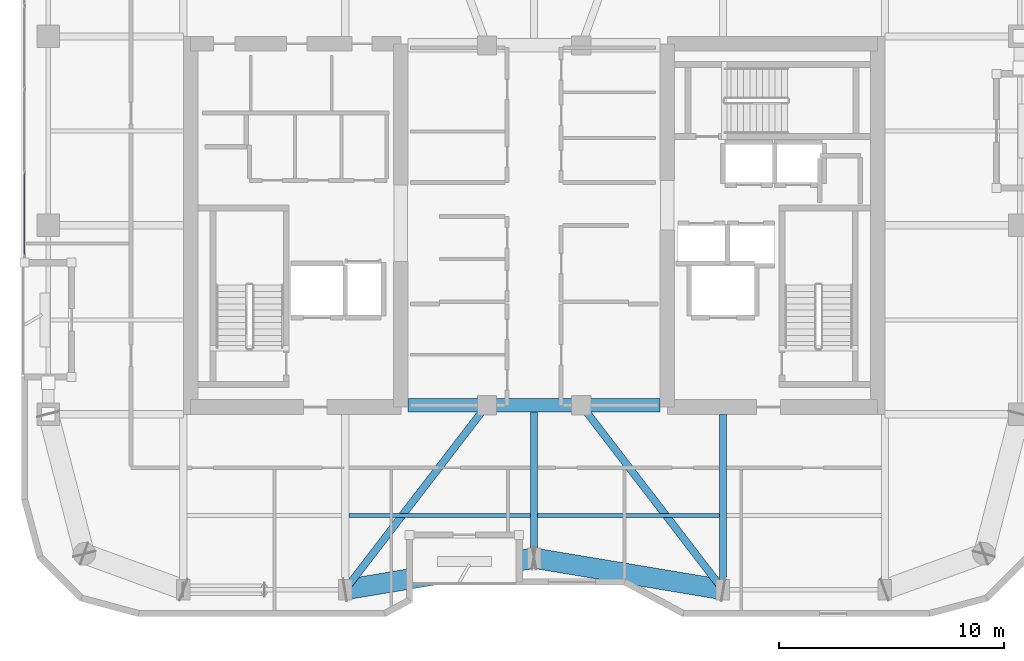
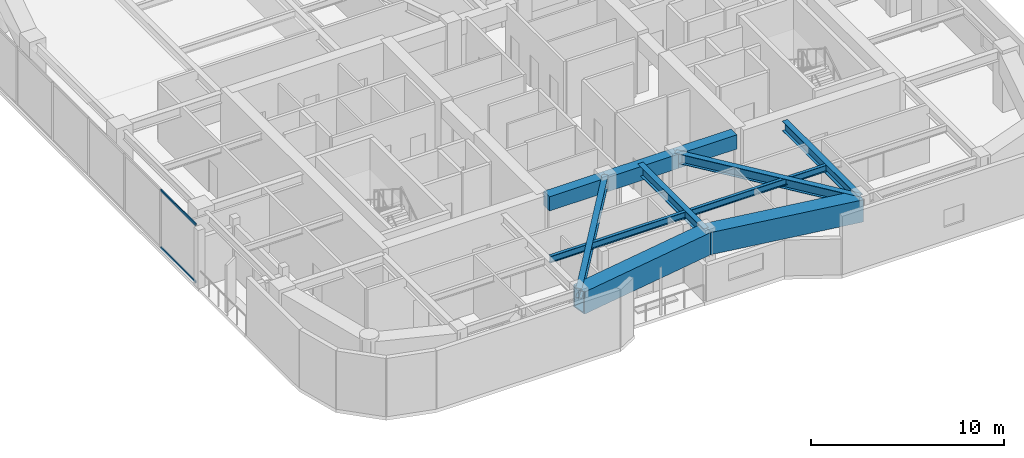
# One storey, part 3 of 21: 11 beams, 2 members, 1 element without a shape of its own.
"""IFC4 building model written with IfcOpenShell, lengths in metres."""

from ifc_helpers import new_model, si_unit, direction, frame, origin, origin_2d, place, context, subcontext, project, spatial, rectangle, hollow_rectangle, i_section, extrude, material, layer, layer_set, material_profile, profile_set, type_object, element, aggregate, save


model = new_model("IFC4")

# Units and contexts
model_context = context("Model", 3, precision=1e-05, world=origin(), true_north=direction((0.0, 1.0)))
body_context = subcontext(model_context, "Body", "Model", "MODEL_VIEW")
ifc_project = project(units=[si_unit("LENGTHUNIT", "METRE"), si_unit("AREAUNIT", "SQUARE_METRE"), si_unit("VOLUMEUNIT", "CUBIC_METRE"), si_unit("PLANEANGLEUNIT", "RADIAN"), si_unit("MASSUNIT", "GRAM", prefix="KILO")], contexts=[model_context])

# Site, building, storey
site_placement = place(None, origin())
site = spatial("IfcSite", under=ifc_project, at=site_placement, CompositionType="ELEMENT")
building_placement = place(site_placement, origin())
building = spatial("IfcBuilding", under=site, at=building_placement, Name="Kiyonajd Concourse Tower", CompositionType="ELEMENT")
storey_placement = place(building_placement, frame((0.0, 0.0, 247.199951171875)))
storey = spatial("IfcBuildingStorey", under=building, at=storey_placement, Name="L62", CompositionType="ELEMENT", Elevation=247.199951171875)

# Beams
ifc_material_1 = material(Name="Concrete C60/75", Category="concrete")
ifc_material_profile_1 = material_profile(ifc_material_1, rectangle(XDim=0.60009765625, YDim=0.89990234375, at=origin_2d()), Name="RCBM-600x900")
ifc_profile_set_1 = profile_set([ifc_material_profile_1], Name="Concrete C60/75")
beam_type_1 = type_object("IfcBeamType", Name="BM-COUP-900", PredefinedType="LINTEL", material=ifc_profile_set_1)
beam_1_placement = place(storey_placement, frame((42.39990234375, 28.0, 3.22998046875), z_axis=(1.0, 0.0, 0.0), x_axis=(0.0, 1.0, 0.0)))
element("IfcBeam", 1, at=beam_1_placement, inside=storey, type_object=beam_type_1, Name="L62 Core Coupling Beam S1", PredefinedType="LINTEL", context=body_context, shape_type="SweptSolid", body=[
    extrude(rectangle(XDim=0.60009765625, YDim=0.89990234375, at=origin_2d()), origin(), (0.0, 0.0, 1.0), 3.5),
])
beam_2_placement = place(storey_placement, frame((45.89990234375, 28.0, 3.22998046875), z_axis=(1.0, 0.0, 0.0), x_axis=(0.0, 1.0, 0.0)))
element("IfcBeam", 2, at=beam_2_placement, inside=storey, type_object=beam_type_1, Name="L62 Core Coupling Beam S2", PredefinedType="LINTEL", context=body_context, shape_type="SweptSolid", body=[
    extrude(rectangle(XDim=0.60009765625, YDim=0.89990234375, at=origin_2d()), origin(), (0.0, 0.0, 1.0), 4.2001953125),
])
beam_3_placement = place(storey_placement, frame((50.10009765625, 28.0, 3.22998046875), z_axis=(1.0, 0.0, 0.0), x_axis=(0.0, 1.0, 0.0)))
element("IfcBeam", 3, at=beam_3_placement, inside=storey, type_object=beam_type_1, Name="L62 Core Coupling Beam S3", PredefinedType="LINTEL", context=body_context, shape_type="SweptSolid", body=[
    extrude(rectangle(XDim=0.60009765625, YDim=0.89990234375, at=origin_2d()), origin(), (0.0, 0.0, 1.0), 3.5),
])
ifc_material_2 = material(Name="Steel ASTM A992 Grade 50", Category="steel")
ifc_material_profile_2 = material_profile(ifc_material_2, i_section(OverallWidth=0.180908203125, OverallDepth=0.4169921875, WebThickness=0.010986328125, FlangeThickness=0.018310546875, at=origin_2d()), Name="W410X85")
ifc_profile_set_2 = profile_set([ifc_material_profile_2], Name="Steel ASTM A992 Grade 50")
beam_type_2 = type_object("IfcBeamType", Name="BM-JST-410", PredefinedType="JOIST", material=ifc_profile_set_2)
for number, where, z_axis, x_axis, name in (
    (4, (39.761962890625, 23.10009765625, 3.471435546875), (1.0, 0.0, 0.0), (0.0, 1.0, 0.0), "L62 Secondary Floor Joist"),
    (5, (48.162109375, 23.10009765625, 3.471435546875), (1.0, 0.0, 0.0), (0.0, 1.0, 0.0), "L62 Secondary Floor Joist"),
):
    element("IfcBeam", number, at=place(storey_placement, frame(where, z_axis=z_axis, x_axis=x_axis)), inside=storey, type_object=beam_type_2, Name=name, PredefinedType="JOIST", context=body_context, shape_type="SweptSolid", body=[
        extrude(i_section(OverallWidth=0.180908203125, OverallDepth=0.4169921875, WebThickness=0.010986328125, FlangeThickness=0.018310546875, at=origin_2d()), origin(), (0.0, 0.0, 1.0), 8.075927734375),
    ])
ifc_material_profile_3 = material_profile(ifc_material_2, i_section(OverallWidth=0.326904296875, OverallDepth=0.6220703125, WebThickness=0.015380859375, FlangeThickness=0.0244140625, at=origin_2d()), Name="W610X195")
ifc_profile_set_3 = profile_set([ifc_material_profile_3], Name="Steel ASTM A992 Grade 50")
beam_type_3 = type_object("IfcBeamType", Name="BM-TWR-610A", PredefinedType="BEAM", material=ifc_profile_set_3)
for number, where, z_axis, x_axis, name in (
    (6, (39.60009765625, 19.800048828125, 3.369140625), (0.609233709922, 0.792990722956, 0.0), (-0.792990722956, 0.609233709922, 0.0), "L62 Core Tie Girder"),
    (7, (50.10009765625, 28.0, 3.369140625), (0.609233709922, -0.792990722956, 0.0), (0.792990722956, 0.609233709922, 0.0), "L62 Core Tie Girder"),
):
    element("IfcBeam", number, at=place(storey_placement, frame(where, z_axis=z_axis, x_axis=x_axis)), inside=storey, type_object=beam_type_3, Name=name, PredefinedType="BEAM", context=body_context, shape_type="SweptSolid", body=[
        extrude(i_section(OverallWidth=0.326904296875, OverallDepth=0.6220703125, WebThickness=0.015380859375, FlangeThickness=0.0244140625, at=origin_2d()), origin(), (0.0, 0.0, 1.0), 10.340576171875),
    ])
ifc_material_profile_4 = material_profile(ifc_material_2, i_section(OverallWidth=0.323974609375, OverallDepth=0.611083984375, WebThickness=0.0126953125, FlangeThickness=0.01904296875, at=origin_2d()), Name="W610X155")
ifc_profile_set_4 = profile_set([ifc_material_profile_4], Name="Steel ASTM A992 Grade 50")
beam_type_4 = type_object("IfcBeamType", Name="BM-TWR-610B", PredefinedType="BEAM", material=ifc_profile_set_4)
beam_4_placement = place(storey_placement, frame((56.39990234375, 19.800048828125, 3.37451171875), z_axis=(0.0, 1.0, 0.0), x_axis=(-1.0, 0.0, 0.0)))
element("IfcBeam", 8, at=beam_4_placement, inside=storey, type_object=beam_type_4, Name="L62 South Lease Girder", PredefinedType="BEAM", context=body_context, shape_type="SweptSolid", body=[
    extrude(i_section(OverallWidth=0.323974609375, OverallDepth=0.611083984375, WebThickness=0.0126953125, FlangeThickness=0.01904296875, at=origin_2d()), origin(), (0.0, 0.0, 1.0), 7.800048828125),
])
beam_5_placement = place(storey_placement, frame((48.0, 21.199951171875, 3.37451171875), z_axis=(0.0, 1.0, 0.0), x_axis=(-1.0, 0.0, 0.0)))
element("IfcBeam", 9, at=beam_5_placement, inside=storey, type_object=beam_type_4, Name="L62 South Ribbon Girder", PredefinedType="BEAM", context=body_context, shape_type="SweptSolid", body=[
    extrude(i_section(OverallWidth=0.323974609375, OverallDepth=0.611083984375, WebThickness=0.0126953125, FlangeThickness=0.01904296875, at=origin_2d()), origin(), (0.0, 0.0, 1.0), 6.800048828125),
])
ifc_material_3 = material(Name="Steel ASTM A572 Grade 50", Category="steel")
ifc_material_profile_5 = material_profile(ifc_material_3, hollow_rectangle(XDim=0.89990234375, YDim=1.39990234375, WallThickness=0.070068359375, at=origin_2d()), Name="BOX-1400x900x70")
ifc_profile_set_5 = profile_set([ifc_material_profile_5], Name="Steel ASTM A572 Grade 50")
beam_type_5 = type_object("IfcBeamType", Name="BM-XFER-1400", PredefinedType="BEAM", material=ifc_profile_set_5)
for number, where, z_axis, x_axis, name in (
    (10, (39.60009765625, 19.800048828125, 2.97998046875), (0.986395473479, 0.164389689151, 0.0), (-0.164389689151, 0.986395473479, 0.0), "L62 Perimeter Bundled Tube Spandrel"),
    (11, (48.0, 21.199951171875, 2.97998046875), (0.986395473479, -0.164389689151, 0.0), (0.164389689151, 0.986395473479, 0.0), "L62 Perimeter Bundled Tube Spandrel"),
):
    element("IfcBeam", number, at=place(storey_placement, frame(where, z_axis=z_axis, x_axis=x_axis)), inside=storey, type_object=beam_type_5, Name=name, PredefinedType="BEAM", context=body_context, shape_type="SweptSolid", body=[
        extrude(hollow_rectangle(XDim=0.89990234375, YDim=1.39990234375, WallThickness=0.070068359375, at=origin_2d()), origin(), (0.0, 0.0, 1.0), 8.515869140625),
    ])

# Curtain wall, members
ifc_material_4 = material(Name="Thermally Broken Anodised Aluminium", Category="aluminium")
ifc_layer = layer(ifc_material_4, 0.179931640625)
ifc_layer_set = layer_set([ifc_layer], Name="Thermally Broken Anodised Aluminium")
curtain_wall_type = type_object("IfcCurtainWallType", Name="CW-SYS-04", PredefinedType="NOTDEFINED", material=ifc_layer_set)
curtain_wall_placement = place(storey_placement, origin())
curtain_wall = element("IfcCurtainWall", 12, at=curtain_wall_placement, inside=storey, type_object=curtain_wall_type, Name="L62 Unitised Curtain Wall CW4", PredefinedType="NOTDEFINED")
ifc_material_profile_6 = material_profile(ifc_material_4, hollow_rectangle(XDim=0.06494140625, YDim=0.139892578125, WallThickness=0.00390625, at=origin_2d()), Name="TRAN-65x140")
ifc_profile_set_6 = profile_set([ifc_material_profile_6], Name="Thermally Broken Anodised Aluminium")
member_type = type_object("IfcMemberType", Name="MB-CW-TRAN1", PredefinedType="USERDEFINED", material=ifc_profile_set_6)
member_1_placement = place(storey_placement, frame((25.340087890625, 34.695068359375, 0.032470703125), z_axis=(0.0, 1.0, 0.0), x_axis=(-1.0, 0.0, 0.0)))
member_1 = element("IfcMember", 13, at=member_1_placement, type_object=member_type, Name="CW4 transom 1.1", ObjectType="TRANSOM", PredefinedType="USERDEFINED", context=body_context, shape_type="SweptSolid", body=[
    extrude(hollow_rectangle(XDim=0.06494140625, YDim=0.139892578125, WallThickness=0.00390625, at=origin_2d()), origin(), (0.0, 0.0, 1.0), 3.61279296875),
])
member_2_placement = place(storey_placement, frame((25.340087890625, 34.695068359375, 3.6474609375), z_axis=(0.0, 1.0, 0.0), x_axis=(-1.0, 0.0, 0.0)))
member_2 = element("IfcMember", 14, at=member_2_placement, type_object=member_type, Name="CW4 transom 1.2", ObjectType="TRANSOM", PredefinedType="USERDEFINED", context=body_context, shape_type="SweptSolid", body=[
    extrude(hollow_rectangle(XDim=0.06494140625, YDim=0.139892578125, WallThickness=0.00390625, at=origin_2d()), origin(), (0.0, 0.0, 1.0), 3.61279296875),
])
aggregate(curtain_wall, [member_1, member_2])

save(model, "model.ifc")
